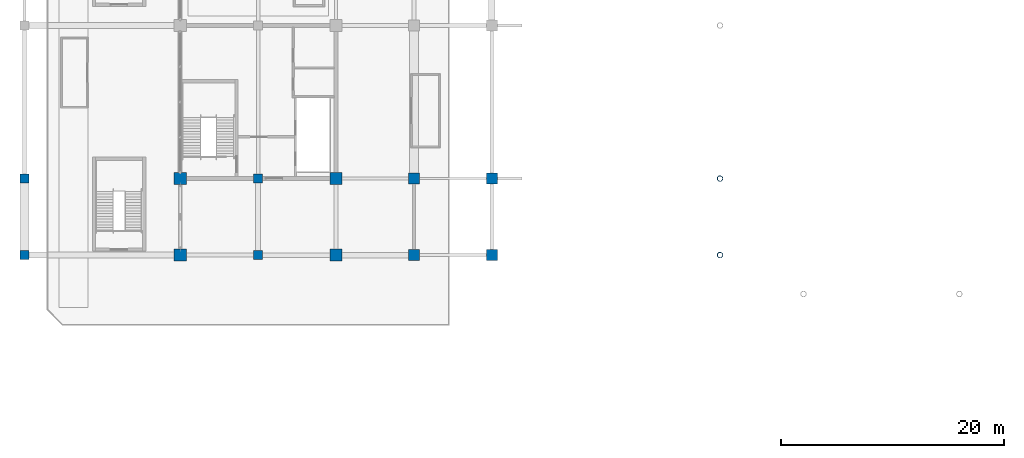
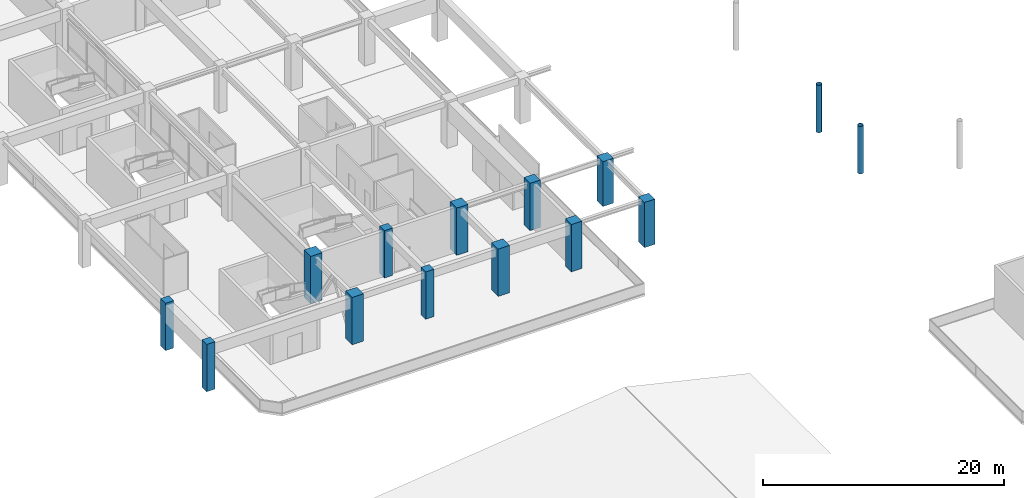
# One storey, part 2 of 91: 14 columns.
"""IFC4 building model written with IfcOpenShell, lengths in metres."""

from ifc_helpers import new_model, si_unit, direction, frame, origin, origin_2d, place, context, subcontext, project, spatial, rectangle, hollow_circle, extrude, material, material_profile, profile_set, type_object, element, save


model = new_model("IFC4")

# Units and contexts
model_context = context("Model", 3, precision=1e-05, world=origin(), true_north=direction((0.0, 1.0)))
body_context = subcontext(model_context, "Body", "Model", "MODEL_VIEW")
ifc_project = project(units=[si_unit("LENGTHUNIT", "METRE"), si_unit("AREAUNIT", "SQUARE_METRE"), si_unit("VOLUMEUNIT", "CUBIC_METRE"), si_unit("PLANEANGLEUNIT", "RADIAN"), si_unit("MASSUNIT", "GRAM", prefix="KILO")], contexts=[model_context])

# Site, building, storey
site_placement = place(None, origin())
site = spatial("IfcSite", under=ifc_project, at=site_placement, CompositionType="ELEMENT")
building_placement = place(site_placement, origin())
building = spatial("IfcBuilding", under=site, at=building_placement, Name="Linyun Crest Stadium", CompositionType="ELEMENT")
storey_placement = place(building_placement, frame((0.0, 0.0, 11.39990234375)))
storey = spatial("IfcBuildingStorey", under=building, at=storey_placement, Name="L03", CompositionType="ELEMENT", Elevation=11.39990234375)

# Columns
ifc_material_1 = material(Name="Concrete C50", Category="concrete")
ifc_material_profile_1 = material_profile(ifc_material_1, rectangle(XDim=0.800048828125, YDim=0.800048828125, at=origin_2d()), Name="RC 800x800")
ifc_profile_set_1 = profile_set([ifc_material_profile_1], Name="Concrete C50")
column_type_1 = type_object("IfcColumnType", Name="C03", PredefinedType="COLUMN", material=ifc_profile_set_1)
for number, where, z_axis, x_axis, name in (
    (1, (-98.0, -46.0, 0.0), (0.0, 0.0, 1.0), (1.0, 0.0, 0.0), "Column C03 L03 4"),
    (2, (-98.0, -39.125, 0.0), (0.0, 0.0, 1.0), (1.0, 0.0, 0.0), "Column C03 L03 10"),
    (3, (-77.0, -46.0, 0.0), (0.0, 0.0, 1.0), (1.0, 0.0, 0.0), "Column C03 L03 108"),
    (4, (-77.0, -39.125, 0.0), (0.0, 0.0, 1.0), (1.0, 0.0, 0.0), "Column C03 L03 113"),
):
    element("IfcColumn", number, at=place(storey_placement, frame(where, z_axis=z_axis, x_axis=x_axis)), inside=storey, type_object=column_type_1, Name=name, PredefinedType="COLUMN", context=body_context, shape_type="SweptSolid", body=[
        extrude(rectangle(XDim=0.800048828125, YDim=0.800048828125, at=origin_2d()), origin(), (0.0, 0.0, 1.0), 4.798095703125),
    ])
ifc_material_2 = material(Name="Concrete C50", Category="concrete")
ifc_material_profile_2 = material_profile(ifc_material_2, rectangle(XDim=1.0, YDim=1.0, at=origin_2d()), Name="RC 1000x1000")
ifc_profile_set_2 = profile_set([ifc_material_profile_2], Name="Concrete C50")
column_type_2 = type_object("IfcColumnType", Name="C05", PredefinedType="COLUMN", material=ifc_profile_set_2)
for number, where, z_axis, x_axis, name in (
    (5, (-63.0, -46.0, 0.0), (0.0, 0.0, 1.0), (1.0, 0.0, 0.0), "Column C05 L03 204"),
    (6, (-63.0, -39.125, 0.0), (0.0, 0.0, 1.0), (1.0, 0.0, 0.0), "Column C05 L03 209"),
):
    element("IfcColumn", number, at=place(storey_placement, frame(where, z_axis=z_axis, x_axis=x_axis)), inside=storey, type_object=column_type_2, Name=name, PredefinedType="COLUMN", context=body_context, shape_type="SweptSolid", body=[
        extrude(rectangle(XDim=1.0, YDim=1.0, at=origin_2d()), origin(), (0.0, 0.0, 1.0), 4.798095703125),
    ])
column_1_placement = place(storey_placement, frame((-56.0, -46.0, 0.0), z_axis=(0.0, 0.0, 1.0), x_axis=(1.0, 0.0, 0.0)))
element("IfcColumn", 7, at=column_1_placement, inside=storey, type_object=column_type_2, Name="Column C05 L03 244", PredefinedType="COLUMN", context=body_context, shape_type="SweptSolid", body=[
    extrude(rectangle(XDim=1.0, YDim=1.0, at=origin_2d()), origin(), (0.0, 0.0, 1.0), 4.580078125),
])
column_2_placement = place(storey_placement, frame((-56.0, -39.125, 0.0), z_axis=(0.0, 0.0, 1.0), x_axis=(1.0, 0.0, 0.0)))
element("IfcColumn", 8, at=column_2_placement, inside=storey, type_object=column_type_2, Name="Column C05 L03 248", PredefinedType="COLUMN", context=body_context, shape_type="SweptSolid", body=[
    extrude(rectangle(XDim=1.0, YDim=1.0, at=origin_2d()), origin(), (0.0, 0.0, 1.0), 4.5400390625),
])
ifc_material_3 = material(Name="Concrete C50", Category="concrete")
ifc_material_profile_3 = material_profile(ifc_material_3, rectangle(XDim=1.10009765625, YDim=1.10009765625, at=origin_2d()), Name="RC 1100x1100")
ifc_profile_set_3 = profile_set([ifc_material_profile_3], Name="Concrete C50")
column_type_3 = type_object("IfcColumnType", Name="C06", PredefinedType="COLUMN", material=ifc_profile_set_3)
for number, where, z_axis, x_axis, name in (
    (9, (-84.0, -46.0, 0.0), (0.0, 0.0, 1.0), (1.0, 0.0, 0.0), "Column C06 L03 52"),
    (10, (-84.0, -39.125, 0.0), (0.0, 0.0, 1.0), (1.0, 0.0, 0.0), "Column C06 L03 59"),
    (11, (-70.0, -46.0, 0.0), (0.0, 0.0, 1.0), (1.0, 0.0, 0.0), "Column C06 L03 148"),
    (12, (-70.0, -39.125, 0.0), (0.0, 0.0, 1.0), (1.0, 0.0, 0.0), "Column C06 L03 155"),
):
    element("IfcColumn", number, at=place(storey_placement, frame(where, z_axis=z_axis, x_axis=x_axis)), inside=storey, type_object=column_type_3, Name=name, PredefinedType="COLUMN", context=body_context, shape_type="SweptSolid", body=[
        extrude(rectangle(XDim=1.10009765625, YDim=1.10009765625, at=origin_2d()), origin(), (0.0, 0.0, 1.0), 4.798095703125),
    ])
ifc_material_4 = material(Name="Steel Q355C", Category="steel")
ifc_material_profile_4 = material_profile(ifc_material_4, hollow_circle(Radius=0.25390625, WallThickness=0.02490234375, at=origin_2d()), Name="CHS 508x25")
ifc_profile_set_4 = profile_set([ifc_material_profile_4], Name="Steel Q355C")
column_type_4 = type_object("IfcColumnType", Name="SC05", PredefinedType="COLUMN", material=ifc_profile_set_4)
for number, where, z_axis, x_axis, name in (
    (13, (-35.5, -46.0, 0.0), (0.0, 0.0, 1.0), (1.0, 0.0, 0.0), "Arch colonnade column SC05 L03 2"),
    (14, (-35.5, -39.125, 0.0), (0.0, 0.0, 1.0), (1.0, 0.0, 0.0), "Arch colonnade column SC05 L03 4"),
):
    element("IfcColumn", number, at=place(storey_placement, frame(where, z_axis=z_axis, x_axis=x_axis)), inside=storey, type_object=column_type_4, Name=name, PredefinedType="COLUMN", context=body_context, shape_type="SweptSolid", body=[
        extrude(hollow_circle(Radius=0.25390625, WallThickness=0.02490234375, at=origin_2d()), origin(), (0.0, 0.0, 1.0), 4.800048828125),
    ])

save(model, "model.ifc")
